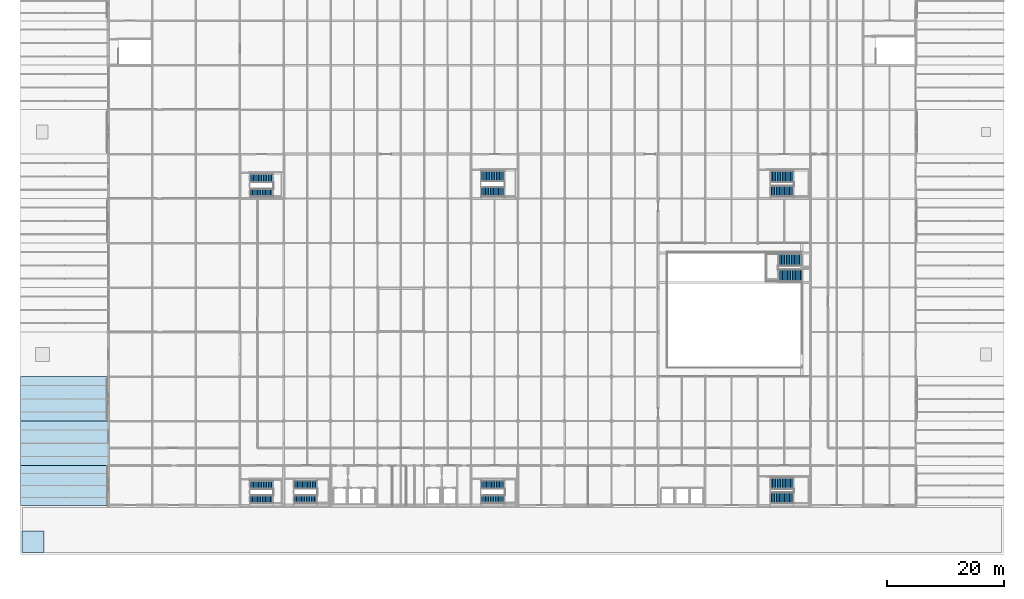
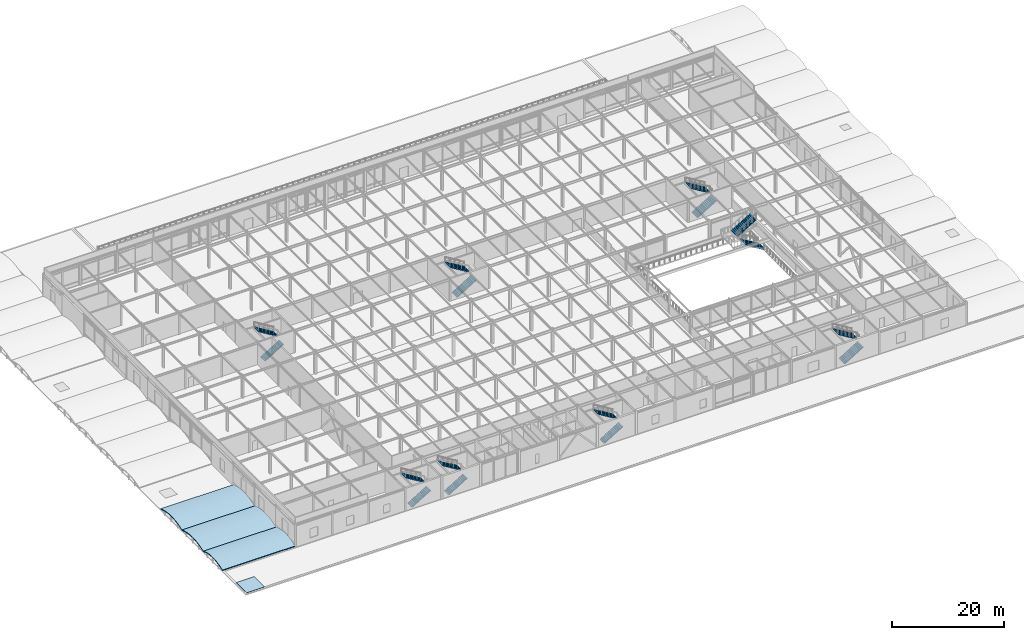
# One storey, part 104 of 113: 16 stair flights, 4 roofs, 8 elements without a shape of their own.
"""IFC4 building model written with IfcOpenShell, lengths in metres."""

from ifc_helpers import new_model, si_unit, direction, frame, origin, place, context, subcontext, project, spatial, polyline, outline, extrude, material, layer, layer_set, type_object, element, aggregate, save


model = new_model("IFC4")

# Units and contexts
model_context = context("Model", 3, precision=1e-05, world=origin(), true_north=direction((0.0, 1.0)))
body_context = subcontext(model_context, "Body", "Model", "MODEL_VIEW")
ifc_project = project(units=[si_unit("LENGTHUNIT", "METRE"), si_unit("AREAUNIT", "SQUARE_METRE"), si_unit("VOLUMEUNIT", "CUBIC_METRE"), si_unit("PLANEANGLEUNIT", "RADIAN"), si_unit("MASSUNIT", "GRAM", prefix="KILO")], contexts=[model_context])

# Site, building, storey
site_placement = place(None, origin())
site = spatial("IfcSite", under=ifc_project, at=site_placement, CompositionType="ELEMENT")
building_placement = place(site_placement, origin())
building = spatial("IfcBuilding", under=site, at=building_placement, Name="Shalkamar Park Central Library", CompositionType="ELEMENT")
storey_placement = place(building_placement, frame((0.0, 0.0, 5.39990234375)))
storey = spatial("IfcBuildingStorey", under=building, at=storey_placement, Name="L02", CompositionType="ELEMENT", Elevation=5.39990234375)

# Stair, stair flights
ifc_material = material(Name="Concrete C35/45", Category="concrete")
stair_type_1 = type_object("IfcStairType", Name="Protected Dog Leg Stair 150x510", PredefinedType="TWO_STRAIGHT_RUN_STAIR", material=ifc_material)
stair_1_placement = place(storey_placement, origin())
stair_1 = element("IfcStair", 1, at=stair_1_placement, inside=storey, type_object=stair_type_1, Name="Protected Core Stair ST-T1-L02", PredefinedType="TWO_STRAIGHT_RUN_STAIR")
stair_flight_type_1 = type_object("IfcStairFlightType", Name="Straight Stair Flight 150x510", PredefinedType="STRAIGHT", material=ifc_material)
stair_flight_1_placement = place(storey_placement, frame((166.6201171875, 249.389892578125, 0.0), z_axis=(0.0, 0.0, 1.0), x_axis=(1.0, 0.0, 0.0)))
stair_flight_1 = element("IfcStairFlight", 2, at=stair_flight_1_placement, type_object=stair_flight_type_1, Name="ST-T1-L02 flight 1", NumberOfRisers=15, NumberOfTreads=14, PredefinedType="STRAIGHT", RiserHeight=0.17, TreadLength=0.28, context=body_context, shape_type="SweptSolid", body=[
    extrude(outline(polyline([(0.0, 0.0), (0.0, 0.169921875), (0.280029296875, 0.169921875), (0.280029296875, 0.340087890625), (0.56005859375, 0.340087890625), (0.56005859375, 0.510009765625), (0.840087890625, 0.510009765625), (0.840087890625, 0.679931640625), (1.1201171875, 0.679931640625), (1.1201171875, 0.85009765625), (1.39990234375, 0.85009765625), (1.39990234375, 1.02001953125), (1.679931640625, 1.02001953125), (1.679931640625, 1.18994140625), (1.9599609375, 1.18994140625), (1.9599609375, 1.360107421875), (2.239990234375, 1.360107421875), (2.239990234375, 1.530029296875), (2.52001953125, 1.530029296875), (2.52001953125, 1.699951171875), (2.800048828125, 1.699951171875), (2.800048828125, 1.8701171875), (3.080078125, 1.8701171875), (3.080078125, 2.0400390625), (3.360107421875, 2.0400390625), (3.360107421875, 2.2099609375), (3.639892578125, 2.2099609375), (3.639892578125, 2.3798828125), (3.919921875, 2.3798828125), (3.919921875, 2.550048828125), (3.919921875, 2.20458984375), (0.288818359375, 0.0), (0.0, 0.0)])), frame((0.0, 0.75, 0.0), z_axis=(0.0, -1.0, 0.0), x_axis=(1.0, 0.0, 0.0)), (0.0, 0.0, 1.0), 1.5),
])
stair_flight_2_placement = place(storey_placement, frame((170.719970703125, 251.909912109375, 2.550048828125), z_axis=(0.0, 0.0, 1.0), x_axis=(-1.0, 0.0, 0.0)))
stair_flight_2 = element("IfcStairFlight", 3, at=stair_flight_2_placement, type_object=stair_flight_type_1, Name="ST-T1-L02 flight 2", NumberOfRisers=15, NumberOfTreads=14, PredefinedType="STRAIGHT", RiserHeight=0.17, TreadLength=0.28, context=body_context, shape_type="SweptSolid", body=[
    extrude(outline(polyline([(0.0, 0.0), (0.0, 0.169921875), (0.280029296875, 0.169921875), (0.280029296875, 0.340087890625), (0.56005859375, 0.340087890625), (0.56005859375, 0.510009765625), (0.840087890625, 0.510009765625), (0.840087890625, 0.679931640625), (1.1201171875, 0.679931640625), (1.1201171875, 0.85009765625), (1.39990234375, 0.85009765625), (1.39990234375, 1.02001953125), (1.679931640625, 1.02001953125), (1.679931640625, 1.18994140625), (1.9599609375, 1.18994140625), (1.9599609375, 1.360107421875), (2.239990234375, 1.360107421875), (2.239990234375, 1.530029296875), (2.52001953125, 1.530029296875), (2.52001953125, 1.699951171875), (2.800048828125, 1.699951171875), (2.800048828125, 1.8701171875), (3.080078125, 1.8701171875), (3.080078125, 2.0400390625), (3.360107421875, 2.0400390625), (3.360107421875, 2.2099609375), (3.639892578125, 2.2099609375), (3.639892578125, 2.3798828125), (3.919921875, 2.3798828125), (3.919921875, 2.550048828125), (3.919921875, 2.20458984375), (0.288818359375, 0.0), (0.0, 0.0)])), frame((0.0, 0.75, 0.0), z_axis=(0.0, -1.0, 0.0), x_axis=(1.0, 0.0, 0.0)), (0.0, 0.0, 1.0), 1.5),
])
aggregate(stair_1, [stair_flight_1, stair_flight_2])

stair_2_placement = place(storey_placement, origin())
stair_2 = element("IfcStair", 4, at=stair_2_placement, inside=storey, type_object=stair_type_1, Name="Protected Core Stair ST-T2-L02", PredefinedType="TWO_STRAIGHT_RUN_STAIR")
stair_flight_3_placement = place(storey_placement, frame((198.6201171875, 249.389892578125, 0.0), z_axis=(0.0, 0.0, 1.0), x_axis=(1.0, 0.0, 0.0)))
stair_flight_3 = element("IfcStairFlight", 5, at=stair_flight_3_placement, type_object=stair_flight_type_1, Name="ST-T2-L02 flight 1", NumberOfRisers=15, NumberOfTreads=14, PredefinedType="STRAIGHT", RiserHeight=0.17, TreadLength=0.28, context=body_context, shape_type="SweptSolid", body=[
    extrude(outline(polyline([(0.0, 0.0), (0.0, 0.169921875), (0.280029296875, 0.169921875), (0.280029296875, 0.340087890625), (0.56005859375, 0.340087890625), (0.56005859375, 0.510009765625), (0.840087890625, 0.510009765625), (0.840087890625, 0.679931640625), (1.1201171875, 0.679931640625), (1.1201171875, 0.85009765625), (1.39990234375, 0.85009765625), (1.39990234375, 1.02001953125), (1.679931640625, 1.02001953125), (1.679931640625, 1.18994140625), (1.9599609375, 1.18994140625), (1.9599609375, 1.360107421875), (2.239990234375, 1.360107421875), (2.239990234375, 1.530029296875), (2.52001953125, 1.530029296875), (2.52001953125, 1.699951171875), (2.800048828125, 1.699951171875), (2.800048828125, 1.8701171875), (3.080078125, 1.8701171875), (3.080078125, 2.0400390625), (3.360107421875, 2.0400390625), (3.360107421875, 2.2099609375), (3.639892578125, 2.2099609375), (3.639892578125, 2.3798828125), (3.919921875, 2.3798828125), (3.919921875, 2.550048828125), (3.919921875, 2.20458984375), (0.288818359375, 0.0), (0.0, 0.0)])), frame((0.0, 0.75, 0.0), z_axis=(0.0, -1.0, 0.0), x_axis=(1.0, 0.0, 0.0)), (0.0, 0.0, 1.0), 1.5),
])
stair_flight_4_placement = place(storey_placement, frame((202.719970703125, 251.909912109375, 2.550048828125), z_axis=(0.0, 0.0, 1.0), x_axis=(-1.0, 0.0, 0.0)))
stair_flight_4 = element("IfcStairFlight", 6, at=stair_flight_4_placement, type_object=stair_flight_type_1, Name="ST-T2-L02 flight 2", NumberOfRisers=15, NumberOfTreads=14, PredefinedType="STRAIGHT", RiserHeight=0.17, TreadLength=0.28, context=body_context, shape_type="SweptSolid", body=[
    extrude(outline(polyline([(0.0, 0.0), (0.0, 0.169921875), (0.280029296875, 0.169921875), (0.280029296875, 0.340087890625), (0.56005859375, 0.340087890625), (0.56005859375, 0.510009765625), (0.840087890625, 0.510009765625), (0.840087890625, 0.679931640625), (1.1201171875, 0.679931640625), (1.1201171875, 0.85009765625), (1.39990234375, 0.85009765625), (1.39990234375, 1.02001953125), (1.679931640625, 1.02001953125), (1.679931640625, 1.18994140625), (1.9599609375, 1.18994140625), (1.9599609375, 1.360107421875), (2.239990234375, 1.360107421875), (2.239990234375, 1.530029296875), (2.52001953125, 1.530029296875), (2.52001953125, 1.699951171875), (2.800048828125, 1.699951171875), (2.800048828125, 1.8701171875), (3.080078125, 1.8701171875), (3.080078125, 2.0400390625), (3.360107421875, 2.0400390625), (3.360107421875, 2.2099609375), (3.639892578125, 2.2099609375), (3.639892578125, 2.3798828125), (3.919921875, 2.3798828125), (3.919921875, 2.550048828125), (3.919921875, 2.20458984375), (0.288818359375, 0.0), (0.0, 0.0)])), frame((0.0, 0.75, 0.0), z_axis=(0.0, -1.0, 0.0), x_axis=(1.0, 0.0, 0.0)), (0.0, 0.0, 1.0), 1.5),
])
aggregate(stair_2, [stair_flight_3, stair_flight_4])

stair_3_placement = place(storey_placement, origin())
stair_3 = element("IfcStair", 7, at=stair_3_placement, inside=storey, type_object=stair_type_1, Name="Protected Core Stair ST-P1-L02", PredefinedType="TWO_STRAIGHT_RUN_STAIR")
stair_flight_5_placement = place(storey_placement, frame((159.094970703125, 249.364990234375, 0.0), z_axis=(0.0, 0.0, 1.0), x_axis=(1.0, 0.0, 0.0)))
stair_flight_5 = element("IfcStairFlight", 8, at=stair_flight_5_placement, type_object=stair_flight_type_1, Name="ST-P1-L02 flight 1", NumberOfRisers=15, NumberOfTreads=14, PredefinedType="STRAIGHT", RiserHeight=0.17, TreadLength=0.28, context=body_context, shape_type="SweptSolid", body=[
    extrude(outline(polyline([(0.0, 0.0), (0.0, 0.169921875), (0.280029296875, 0.169921875), (0.280029296875, 0.340087890625), (0.56005859375, 0.340087890625), (0.56005859375, 0.510009765625), (0.840087890625, 0.510009765625), (0.840087890625, 0.679931640625), (1.1201171875, 0.679931640625), (1.1201171875, 0.85009765625), (1.39990234375, 0.85009765625), (1.39990234375, 1.02001953125), (1.679931640625, 1.02001953125), (1.679931640625, 1.18994140625), (1.9599609375, 1.18994140625), (1.9599609375, 1.360107421875), (2.239990234375, 1.360107421875), (2.239990234375, 1.530029296875), (2.52001953125, 1.530029296875), (2.52001953125, 1.699951171875), (2.800048828125, 1.699951171875), (2.800048828125, 1.8701171875), (3.080078125, 1.8701171875), (3.080078125, 2.0400390625), (3.360107421875, 2.0400390625), (3.360107421875, 2.2099609375), (3.639892578125, 2.2099609375), (3.639892578125, 2.3798828125), (3.919921875, 2.3798828125), (3.919921875, 2.550048828125), (3.919921875, 2.20458984375), (0.288818359375, 0.0), (0.0, 0.0)])), frame((0.0, 0.75, 0.0), z_axis=(0.0, -1.0, 0.0), x_axis=(1.0, 0.0, 0.0)), (0.0, 0.0, 1.0), 1.5),
])
stair_flight_6_placement = place(storey_placement, frame((163.195068359375, 251.885009765625, 2.550048828125), z_axis=(0.0, 0.0, 1.0), x_axis=(-1.0, 0.0, 0.0)))
stair_flight_6 = element("IfcStairFlight", 9, at=stair_flight_6_placement, type_object=stair_flight_type_1, Name="ST-P1-L02 flight 2", NumberOfRisers=15, NumberOfTreads=14, PredefinedType="STRAIGHT", RiserHeight=0.17, TreadLength=0.28, context=body_context, shape_type="SweptSolid", body=[
    extrude(outline(polyline([(0.0, 0.0), (0.0, 0.169921875), (0.280029296875, 0.169921875), (0.280029296875, 0.340087890625), (0.56005859375, 0.340087890625), (0.56005859375, 0.510009765625), (0.840087890625, 0.510009765625), (0.840087890625, 0.679931640625), (1.1201171875, 0.679931640625), (1.1201171875, 0.85009765625), (1.39990234375, 0.85009765625), (1.39990234375, 1.02001953125), (1.679931640625, 1.02001953125), (1.679931640625, 1.18994140625), (1.9599609375, 1.18994140625), (1.9599609375, 1.360107421875), (2.239990234375, 1.360107421875), (2.239990234375, 1.530029296875), (2.52001953125, 1.530029296875), (2.52001953125, 1.699951171875), (2.800048828125, 1.699951171875), (2.800048828125, 1.8701171875), (3.080078125, 1.8701171875), (3.080078125, 2.0400390625), (3.360107421875, 2.0400390625), (3.360107421875, 2.2099609375), (3.639892578125, 2.2099609375), (3.639892578125, 2.3798828125), (3.919921875, 2.3798828125), (3.919921875, 2.550048828125), (3.919921875, 2.20458984375), (0.288818359375, 0.0), (0.0, 0.0)])), frame((0.0, 0.75, 0.0), z_axis=(0.0, -1.0, 0.0), x_axis=(1.0, 0.0, 0.0)), (0.0, 0.0, 1.0), 1.5),
])
aggregate(stair_3, [stair_flight_5, stair_flight_6])

stair_4_placement = place(storey_placement, origin())
stair_4 = element("IfcStair", 10, at=stair_4_placement, inside=storey, type_object=stair_type_1, Name="Protected Core Stair ST-P2-L02", PredefinedType="TWO_STRAIGHT_RUN_STAIR")
stair_flight_7_placement = place(storey_placement, frame((159.094970703125, 301.764892578125, 0.0), z_axis=(0.0, 0.0, 1.0), x_axis=(1.0, 0.0, 0.0)))
stair_flight_7 = element("IfcStairFlight", 11, at=stair_flight_7_placement, type_object=stair_flight_type_1, Name="ST-P2-L02 flight 1", NumberOfRisers=15, NumberOfTreads=14, PredefinedType="STRAIGHT", RiserHeight=0.17, TreadLength=0.28, context=body_context, shape_type="SweptSolid", body=[
    extrude(outline(polyline([(0.0, 0.0), (0.0, 0.169921875), (0.280029296875, 0.169921875), (0.280029296875, 0.340087890625), (0.56005859375, 0.340087890625), (0.56005859375, 0.510009765625), (0.840087890625, 0.510009765625), (0.840087890625, 0.679931640625), (1.1201171875, 0.679931640625), (1.1201171875, 0.85009765625), (1.39990234375, 0.85009765625), (1.39990234375, 1.02001953125), (1.679931640625, 1.02001953125), (1.679931640625, 1.18994140625), (1.9599609375, 1.18994140625), (1.9599609375, 1.360107421875), (2.239990234375, 1.360107421875), (2.239990234375, 1.530029296875), (2.52001953125, 1.530029296875), (2.52001953125, 1.699951171875), (2.800048828125, 1.699951171875), (2.800048828125, 1.8701171875), (3.080078125, 1.8701171875), (3.080078125, 2.0400390625), (3.360107421875, 2.0400390625), (3.360107421875, 2.2099609375), (3.639892578125, 2.2099609375), (3.639892578125, 2.3798828125), (3.919921875, 2.3798828125), (3.919921875, 2.550048828125), (3.919921875, 2.20458984375), (0.288818359375, 0.0), (0.0, 0.0)])), frame((0.0, 0.75, 0.0), z_axis=(0.0, -1.0, 0.0), x_axis=(1.0, 0.0, 0.0)), (0.0, 0.0, 1.0), 1.5),
])
stair_flight_8_placement = place(storey_placement, frame((163.195068359375, 304.284912109375, 2.550048828125), z_axis=(0.0, 0.0, 1.0), x_axis=(-1.0, 0.0, 0.0)))
stair_flight_8 = element("IfcStairFlight", 12, at=stair_flight_8_placement, type_object=stair_flight_type_1, Name="ST-P2-L02 flight 2", NumberOfRisers=15, NumberOfTreads=14, PredefinedType="STRAIGHT", RiserHeight=0.17, TreadLength=0.28, context=body_context, shape_type="SweptSolid", body=[
    extrude(outline(polyline([(0.0, 0.0), (0.0, 0.169921875), (0.280029296875, 0.169921875), (0.280029296875, 0.340087890625), (0.56005859375, 0.340087890625), (0.56005859375, 0.510009765625), (0.840087890625, 0.510009765625), (0.840087890625, 0.679931640625), (1.1201171875, 0.679931640625), (1.1201171875, 0.85009765625), (1.39990234375, 0.85009765625), (1.39990234375, 1.02001953125), (1.679931640625, 1.02001953125), (1.679931640625, 1.18994140625), (1.9599609375, 1.18994140625), (1.9599609375, 1.360107421875), (2.239990234375, 1.360107421875), (2.239990234375, 1.530029296875), (2.52001953125, 1.530029296875), (2.52001953125, 1.699951171875), (2.800048828125, 1.699951171875), (2.800048828125, 1.8701171875), (3.080078125, 1.8701171875), (3.080078125, 2.0400390625), (3.360107421875, 2.0400390625), (3.360107421875, 2.2099609375), (3.639892578125, 2.2099609375), (3.639892578125, 2.3798828125), (3.919921875, 2.3798828125), (3.919921875, 2.550048828125), (3.919921875, 2.20458984375), (0.288818359375, 0.0), (0.0, 0.0)])), frame((0.0, 0.75, 0.0), z_axis=(0.0, -1.0, 0.0), x_axis=(1.0, 0.0, 0.0)), (0.0, 0.0, 1.0), 1.5),
])
aggregate(stair_4, [stair_flight_7, stair_flight_8])

stair_type_2 = type_object("IfcStairType", Name="Protected Dog Leg Stair 180x510", PredefinedType="TWO_STRAIGHT_RUN_STAIR", material=ifc_material)
stair_5_placement = place(storey_placement, origin())
stair_5 = element("IfcStair", 13, at=stair_5_placement, inside=storey, type_object=stair_type_2, Name="Protected Core Stair ST-P7-L02", PredefinedType="TWO_STRAIGHT_RUN_STAIR")
stair_flight_type_2 = type_object("IfcStairFlightType", Name="Straight Stair Flight 180x510", PredefinedType="STRAIGHT", material=ifc_material)
stair_flight_9_placement = place(storey_placement, frame((198.614990234375, 301.9150390625, 0.0), z_axis=(0.0, 0.0, 1.0), x_axis=(1.0, 0.0, 0.0)))
stair_flight_9 = element("IfcStairFlight", 14, at=stair_flight_9_placement, type_object=stair_flight_type_2, Name="ST-P7-L02 flight 1", NumberOfRisers=15, NumberOfTreads=14, PredefinedType="STRAIGHT", RiserHeight=0.17, TreadLength=0.28, context=body_context, shape_type="SweptSolid", body=[
    extrude(outline(polyline([(0.0, 0.0), (0.0, 0.169921875), (0.280029296875, 0.169921875), (0.280029296875, 0.340087890625), (0.56005859375, 0.340087890625), (0.56005859375, 0.510009765625), (0.840087890625, 0.510009765625), (0.840087890625, 0.679931640625), (1.1201171875, 0.679931640625), (1.1201171875, 0.85009765625), (1.39990234375, 0.85009765625), (1.39990234375, 1.02001953125), (1.679931640625, 1.02001953125), (1.679931640625, 1.18994140625), (1.9599609375, 1.18994140625), (1.9599609375, 1.360107421875), (2.239990234375, 1.360107421875), (2.239990234375, 1.530029296875), (2.52001953125, 1.530029296875), (2.52001953125, 1.699951171875), (2.800048828125, 1.699951171875), (2.800048828125, 1.8701171875), (3.080078125, 1.8701171875), (3.080078125, 2.0400390625), (3.360107421875, 2.0400390625), (3.360107421875, 2.2099609375), (3.639892578125, 2.2099609375), (3.639892578125, 2.3798828125), (3.919921875, 2.3798828125), (3.919921875, 2.550048828125), (3.919921875, 2.20458984375), (0.288818359375, 0.0), (0.0, 0.0)])), frame((0.0, 0.89990234375, 0.0), z_axis=(0.0, -1.0, 0.0), x_axis=(1.0, 0.0, 0.0)), (0.0, 0.0, 1.0), 1.800048828125),
])
stair_flight_10_placement = place(storey_placement, frame((202.715087890625, 304.635009765625, 2.550048828125), z_axis=(0.0, 0.0, 1.0), x_axis=(-1.0, 0.0, 0.0)))
stair_flight_10 = element("IfcStairFlight", 15, at=stair_flight_10_placement, type_object=stair_flight_type_2, Name="ST-P7-L02 flight 2", NumberOfRisers=15, NumberOfTreads=14, PredefinedType="STRAIGHT", RiserHeight=0.17, TreadLength=0.28, context=body_context, shape_type="SweptSolid", body=[
    extrude(outline(polyline([(0.0, 0.0), (0.0, 0.169921875), (0.280029296875, 0.169921875), (0.280029296875, 0.340087890625), (0.56005859375, 0.340087890625), (0.56005859375, 0.510009765625), (0.840087890625, 0.510009765625), (0.840087890625, 0.679931640625), (1.1201171875, 0.679931640625), (1.1201171875, 0.85009765625), (1.39990234375, 0.85009765625), (1.39990234375, 1.02001953125), (1.679931640625, 1.02001953125), (1.679931640625, 1.18994140625), (1.9599609375, 1.18994140625), (1.9599609375, 1.360107421875), (2.239990234375, 1.360107421875), (2.239990234375, 1.530029296875), (2.52001953125, 1.530029296875), (2.52001953125, 1.699951171875), (2.800048828125, 1.699951171875), (2.800048828125, 1.8701171875), (3.080078125, 1.8701171875), (3.080078125, 2.0400390625), (3.360107421875, 2.0400390625), (3.360107421875, 2.2099609375), (3.639892578125, 2.2099609375), (3.639892578125, 2.3798828125), (3.919921875, 2.3798828125), (3.919921875, 2.550048828125), (3.919921875, 2.20458984375), (0.288818359375, 0.0), (0.0, 0.0)])), frame((0.0, 0.89990234375, 0.0), z_axis=(0.0, -1.0, 0.0), x_axis=(1.0, 0.0, 0.0)), (0.0, 0.0, 1.0), 1.800048828125),
])
aggregate(stair_5, [stair_flight_9, stair_flight_10])

stair_type_3 = type_object("IfcStairType", Name="Protected Dog Leg Stair 200x510", PredefinedType="TWO_STRAIGHT_RUN_STAIR", material=ifc_material)
stair_6_placement = place(storey_placement, origin())
stair_6 = element("IfcStair", 16, at=stair_6_placement, inside=storey, type_object=stair_type_3, Name="Protected Core Stair ST-P3-L02", PredefinedType="TWO_STRAIGHT_RUN_STAIR")
stair_flight_type_3 = type_object("IfcStairFlightType", Name="Straight Stair Flight 200x510", PredefinedType="STRAIGHT", material=ifc_material)
stair_flight_11_placement = place(storey_placement, frame((248.044921875, 249.614990234375, 0.0), z_axis=(0.0, 0.0, 1.0), x_axis=(1.0, 0.0, 0.0)))
stair_flight_11 = element("IfcStairFlight", 17, at=stair_flight_11_placement, type_object=stair_flight_type_3, Name="ST-P3-L02 flight 1", NumberOfRisers=15, NumberOfTreads=14, PredefinedType="STRAIGHT", RiserHeight=0.17, TreadLength=0.28, context=body_context, shape_type="SweptSolid", body=[
    extrude(outline(polyline([(0.0, 0.0), (0.0, 0.169921875), (0.280029296875, 0.169921875), (0.280029296875, 0.340087890625), (0.56005859375, 0.340087890625), (0.56005859375, 0.510009765625), (0.840087890625, 0.510009765625), (0.840087890625, 0.679931640625), (1.1201171875, 0.679931640625), (1.1201171875, 0.85009765625), (1.39990234375, 0.85009765625), (1.39990234375, 1.02001953125), (1.679931640625, 1.02001953125), (1.679931640625, 1.18994140625), (1.9599609375, 1.18994140625), (1.9599609375, 1.360107421875), (2.239990234375, 1.360107421875), (2.239990234375, 1.530029296875), (2.52001953125, 1.530029296875), (2.52001953125, 1.699951171875), (2.800048828125, 1.699951171875), (2.800048828125, 1.8701171875), (3.080078125, 1.8701171875), (3.080078125, 2.0400390625), (3.360107421875, 2.0400390625), (3.360107421875, 2.2099609375), (3.639892578125, 2.2099609375), (3.639892578125, 2.3798828125), (3.919921875, 2.3798828125), (3.919921875, 2.550048828125), (3.919921875, 2.20458984375), (0.288818359375, 0.0), (0.0, 0.0)])), frame((0.0, 1.0, 0.0), z_axis=(0.0, -1.0, 0.0), x_axis=(1.0, 0.0, 0.0)), (0.0, 0.0, 1.0), 2.0),
])
stair_flight_12_placement = place(storey_placement, frame((252.14501953125, 252.135009765625, 2.550048828125), z_axis=(0.0, 0.0, 1.0), x_axis=(-1.0, 0.0, 0.0)))
stair_flight_12 = element("IfcStairFlight", 18, at=stair_flight_12_placement, type_object=stair_flight_type_3, Name="ST-P3-L02 flight 2", NumberOfRisers=15, NumberOfTreads=14, PredefinedType="STRAIGHT", RiserHeight=0.17, TreadLength=0.28, context=body_context, shape_type="SweptSolid", body=[
    extrude(outline(polyline([(0.0, 0.0), (0.0, 0.169921875), (0.280029296875, 0.169921875), (0.280029296875, 0.340087890625), (0.56005859375, 0.340087890625), (0.56005859375, 0.510009765625), (0.840087890625, 0.510009765625), (0.840087890625, 0.679931640625), (1.1201171875, 0.679931640625), (1.1201171875, 0.85009765625), (1.39990234375, 0.85009765625), (1.39990234375, 1.02001953125), (1.679931640625, 1.02001953125), (1.679931640625, 1.18994140625), (1.9599609375, 1.18994140625), (1.9599609375, 1.360107421875), (2.239990234375, 1.360107421875), (2.239990234375, 1.530029296875), (2.52001953125, 1.530029296875), (2.52001953125, 1.699951171875), (2.800048828125, 1.699951171875), (2.800048828125, 1.8701171875), (3.080078125, 1.8701171875), (3.080078125, 2.0400390625), (3.360107421875, 2.0400390625), (3.360107421875, 2.2099609375), (3.639892578125, 2.2099609375), (3.639892578125, 2.3798828125), (3.919921875, 2.3798828125), (3.919921875, 2.550048828125), (3.919921875, 2.20458984375), (0.288818359375, 0.0), (0.0, 0.0)])), frame((0.0, 1.0, 0.0), z_axis=(0.0, -1.0, 0.0), x_axis=(1.0, 0.0, 0.0)), (0.0, 0.0, 1.0), 2.0),
])
aggregate(stair_6, [stair_flight_11, stair_flight_12])

stair_7_placement = place(storey_placement, origin())
stair_7 = element("IfcStair", 19, at=stair_7_placement, inside=storey, type_object=stair_type_3, Name="Protected Core Stair ST-P4-L02", PredefinedType="TWO_STRAIGHT_RUN_STAIR")
stair_flight_13_placement = place(storey_placement, frame((248.044921875, 302.014892578125, 0.0), z_axis=(0.0, 0.0, 1.0), x_axis=(1.0, 0.0, 0.0)))
stair_flight_13 = element("IfcStairFlight", 20, at=stair_flight_13_placement, type_object=stair_flight_type_3, Name="ST-P4-L02 flight 1", NumberOfRisers=15, NumberOfTreads=14, PredefinedType="STRAIGHT", RiserHeight=0.17, TreadLength=0.28, context=body_context, shape_type="SweptSolid", body=[
    extrude(outline(polyline([(0.0, 0.0), (0.0, 0.169921875), (0.280029296875, 0.169921875), (0.280029296875, 0.340087890625), (0.56005859375, 0.340087890625), (0.56005859375, 0.510009765625), (0.840087890625, 0.510009765625), (0.840087890625, 0.679931640625), (1.1201171875, 0.679931640625), (1.1201171875, 0.85009765625), (1.39990234375, 0.85009765625), (1.39990234375, 1.02001953125), (1.679931640625, 1.02001953125), (1.679931640625, 1.18994140625), (1.9599609375, 1.18994140625), (1.9599609375, 1.360107421875), (2.239990234375, 1.360107421875), (2.239990234375, 1.530029296875), (2.52001953125, 1.530029296875), (2.52001953125, 1.699951171875), (2.800048828125, 1.699951171875), (2.800048828125, 1.8701171875), (3.080078125, 1.8701171875), (3.080078125, 2.0400390625), (3.360107421875, 2.0400390625), (3.360107421875, 2.2099609375), (3.639892578125, 2.2099609375), (3.639892578125, 2.3798828125), (3.919921875, 2.3798828125), (3.919921875, 2.550048828125), (3.919921875, 2.20458984375), (0.288818359375, 0.0), (0.0, 0.0)])), frame((0.0, 1.0, 0.0), z_axis=(0.0, -1.0, 0.0), x_axis=(1.0, 0.0, 0.0)), (0.0, 0.0, 1.0), 2.0),
])
stair_flight_14_placement = place(storey_placement, frame((252.14501953125, 304.534912109375, 2.550048828125), z_axis=(0.0, 0.0, 1.0), x_axis=(-1.0, 0.0, 0.0)))
stair_flight_14 = element("IfcStairFlight", 21, at=stair_flight_14_placement, type_object=stair_flight_type_3, Name="ST-P4-L02 flight 2", NumberOfRisers=15, NumberOfTreads=14, PredefinedType="STRAIGHT", RiserHeight=0.17, TreadLength=0.28, context=body_context, shape_type="SweptSolid", body=[
    extrude(outline(polyline([(0.0, 0.0), (0.0, 0.169921875), (0.280029296875, 0.169921875), (0.280029296875, 0.340087890625), (0.56005859375, 0.340087890625), (0.56005859375, 0.510009765625), (0.840087890625, 0.510009765625), (0.840087890625, 0.679931640625), (1.1201171875, 0.679931640625), (1.1201171875, 0.85009765625), (1.39990234375, 0.85009765625), (1.39990234375, 1.02001953125), (1.679931640625, 1.02001953125), (1.679931640625, 1.18994140625), (1.9599609375, 1.18994140625), (1.9599609375, 1.360107421875), (2.239990234375, 1.360107421875), (2.239990234375, 1.530029296875), (2.52001953125, 1.530029296875), (2.52001953125, 1.699951171875), (2.800048828125, 1.699951171875), (2.800048828125, 1.8701171875), (3.080078125, 1.8701171875), (3.080078125, 2.0400390625), (3.360107421875, 2.0400390625), (3.360107421875, 2.2099609375), (3.639892578125, 2.2099609375), (3.639892578125, 2.3798828125), (3.919921875, 2.3798828125), (3.919921875, 2.550048828125), (3.919921875, 2.20458984375), (0.288818359375, 0.0), (0.0, 0.0)])), frame((0.0, 1.0, 0.0), z_axis=(0.0, -1.0, 0.0), x_axis=(1.0, 0.0, 0.0)), (0.0, 0.0, 1.0), 2.0),
])
aggregate(stair_7, [stair_flight_13, stair_flight_14])

stair_type_4 = type_object("IfcStairType", Name="Protected Dog Leg Stair 210x510", PredefinedType="TWO_STRAIGHT_RUN_STAIR", material=ifc_material)
stair_8_placement = place(storey_placement, origin())
stair_8 = element("IfcStair", 22, at=stair_8_placement, inside=storey, type_object=stair_type_4, Name="Monumental Atrium Reading Stair ST-A2 (L02-L03)", PredefinedType="TWO_STRAIGHT_RUN_STAIR")
stair_flight_type_4 = type_object("IfcStairFlightType", Name="Straight Stair Flight 210x510", PredefinedType="STRAIGHT", material=ifc_material)
stair_flight_15_placement = place(storey_placement, frame((253.580078125, 287.64990234375, 0.0), z_axis=(0.0, 0.0, 1.0), x_axis=(-1.0, 0.0, 0.0)))
stair_flight_15 = element("IfcStairFlight", 23, at=stair_flight_15_placement, type_object=stair_flight_type_4, Name="ST-A2-L02 flight 1", NumberOfRisers=15, NumberOfTreads=14, PredefinedType="STRAIGHT", RiserHeight=0.17, TreadLength=0.28, context=body_context, shape_type="SweptSolid", body=[
    extrude(outline(polyline([(0.0, 0.0), (0.0, 0.169921875), (0.280029296875, 0.169921875), (0.280029296875, 0.340087890625), (0.56005859375, 0.340087890625), (0.56005859375, 0.510009765625), (0.840087890625, 0.510009765625), (0.840087890625, 0.679931640625), (1.1201171875, 0.679931640625), (1.1201171875, 0.85009765625), (1.39990234375, 0.85009765625), (1.39990234375, 1.02001953125), (1.679931640625, 1.02001953125), (1.679931640625, 1.18994140625), (1.9599609375, 1.18994140625), (1.9599609375, 1.360107421875), (2.239990234375, 1.360107421875), (2.239990234375, 1.530029296875), (2.52001953125, 1.530029296875), (2.52001953125, 1.699951171875), (2.800048828125, 1.699951171875), (2.800048828125, 1.8701171875), (3.080078125, 1.8701171875), (3.080078125, 2.0400390625), (3.360107421875, 2.0400390625), (3.360107421875, 2.2099609375), (3.639892578125, 2.2099609375), (3.639892578125, 2.3798828125), (3.919921875, 2.3798828125), (3.919921875, 2.550048828125), (3.919921875, 2.19287109375), (0.30810546875, 0.0), (0.0, 0.0)])), frame((0.0, 1.050048828125, 0.0), z_axis=(0.0, -1.0, 0.0), x_axis=(1.0, 0.0, 0.0)), (0.0, 0.0, 1.0), 2.10009765625),
])
stair_flight_16_placement = place(storey_placement, frame((249.47998046875, 290.35009765625, 2.550048828125), z_axis=(0.0, 0.0, 1.0), x_axis=(1.0, 0.0, 0.0)))
stair_flight_16 = element("IfcStairFlight", 24, at=stair_flight_16_placement, type_object=stair_flight_type_4, Name="ST-A2-L02 flight 2", NumberOfRisers=15, NumberOfTreads=14, PredefinedType="STRAIGHT", RiserHeight=0.17, TreadLength=0.28, context=body_context, shape_type="SweptSolid", body=[
    extrude(outline(polyline([(0.0, 0.0), (0.0, 0.169921875), (0.280029296875, 0.169921875), (0.280029296875, 0.340087890625), (0.56005859375, 0.340087890625), (0.56005859375, 0.510009765625), (0.840087890625, 0.510009765625), (0.840087890625, 0.679931640625), (1.1201171875, 0.679931640625), (1.1201171875, 0.85009765625), (1.39990234375, 0.85009765625), (1.39990234375, 1.02001953125), (1.679931640625, 1.02001953125), (1.679931640625, 1.18994140625), (1.9599609375, 1.18994140625), (1.9599609375, 1.360107421875), (2.239990234375, 1.360107421875), (2.239990234375, 1.530029296875), (2.52001953125, 1.530029296875), (2.52001953125, 1.699951171875), (2.800048828125, 1.699951171875), (2.800048828125, 1.8701171875), (3.080078125, 1.8701171875), (3.080078125, 2.0400390625), (3.360107421875, 2.0400390625), (3.360107421875, 2.2099609375), (3.639892578125, 2.2099609375), (3.639892578125, 2.3798828125), (3.919921875, 2.3798828125), (3.919921875, 2.550048828125), (3.919921875, 2.19287109375), (0.30810546875, 0.0), (0.0, 0.0)])), frame((0.0, 1.050048828125, 0.0), z_axis=(0.0, -1.0, 0.0), x_axis=(1.0, 0.0, 0.0)), (0.0, 0.0, 1.0), 2.10009765625),
])
aggregate(stair_8, [stair_flight_15, stair_flight_16])

# Roofs
ifc_layer_1 = layer(ifc_material, 0.239990234375)
ifc_layer_set_1 = layer_set([ifc_layer_1], Name="Concrete C35/45")
roof_type_1 = type_object("IfcRoofType", Name="Insulated Flat Roof Assembly", PredefinedType="FLAT_ROOF", material=ifc_layer_set_1)
roof_1_placement = place(storey_placement, origin())
element("IfcRoof", 25, at=roof_1_placement, inside=storey, type_object=roof_type_1, Name="Level L02 Insulated Flat Roof Assembly", PredefinedType="FLAT_ROOF", context=body_context, shape_type="SweptSolid", body=[
    extrude(outline(polyline([(120.300048828125, 240.300048828125), (124.0, 240.300048828125), (124.0, 244.0), (120.300048828125, 244.0), (120.300048828125, 240.300048828125)])), origin(), (0.0, 0.0, 1.0), 0.030029296875),
])
ifc_layer_2 = layer(ifc_material, 0.179931640625)
ifc_layer_set_2 = layer_set([ifc_layer_2], Name="Concrete C35/45")
roof_type_2 = type_object("IfcRoofType", Name="Polychrome Barrel Vault Roof", PredefinedType="BARREL_ROOF", material=ifc_layer_set_2)
roof_2_placement = place(storey_placement, frame((120.0, 251.7998046875, 0.0), z_axis=(0.0, 0.0, 1.0), x_axis=(1.0, 0.0, 0.0)))
element("IfcRoof", 26, at=roof_2_placement, inside=storey, type_object=roof_type_2, Name="Barrel Vault Clerestory Roof BV-L01-W1", PredefinedType="BARREL_ROOF", context=body_context, shape_type="SweptSolid", body=[
    extrude(outline(polyline([(-3.39990234375, 0.179931640625), (-2.97509765625, 0.3486328125), (-2.550048828125, 0.494873046875), (-2.125, 0.61865234375), (-1.699951171875, 0.719970703125), (-1.27490234375, 0.798583984375), (-0.85009765625, 0.85498046875), (-0.425048828125, 0.888671875), (0.0, 0.89990234375), (0.425048828125, 0.888671875), (0.85009765625, 0.85498046875), (1.27490234375, 0.798583984375), (1.699951171875, 0.719970703125), (2.125, 0.61865234375), (2.550048828125, 0.494873046875), (2.97509765625, 0.3486328125), (3.39990234375, 0.179931640625), (3.39990234375, 0.0), (2.97509765625, 0.168701171875), (2.550048828125, 0.31494140625), (2.125, 0.438720703125), (1.699951171875, 0.5400390625), (1.27490234375, 0.61865234375), (0.85009765625, 0.675048828125), (0.425048828125, 0.708740234375), (0.0, 0.719970703125), (-0.425048828125, 0.708740234375), (-0.85009765625, 0.675048828125), (-1.27490234375, 0.61865234375), (-1.699951171875, 0.5400390625), (-2.125, 0.438720703125), (-2.550048828125, 0.31494140625), (-2.97509765625, 0.168701171875), (-3.39990234375, 0.0), (-3.39990234375, 0.179931640625)])), frame((0.0, 0.0, 0.0), z_axis=(1.0, 0.0, 0.0), x_axis=(0.0, 1.0, 0.0)), (0.0, 0.0, 1.0), 15.0),
])
roof_3_placement = place(storey_placement, frame((120.0, 259.0, 0.0), z_axis=(0.0, 0.0, 1.0), x_axis=(1.0, 0.0, 0.0)))
element("IfcRoof", 27, at=roof_3_placement, inside=storey, type_object=roof_type_2, Name="Barrel Vault Clerestory Roof BV-L01-W2", PredefinedType="BARREL_ROOF", context=body_context, shape_type="SweptSolid", body=[
    extrude(outline(polyline([(-3.800048828125, 0.179931640625), (-3.324951171875, 0.3486328125), (-2.85009765625, 0.494873046875), (-2.375, 0.61865234375), (-1.89990234375, 0.719970703125), (-1.425048828125, 0.798583984375), (-0.949951171875, 0.85498046875), (-0.47509765625, 0.888671875), (0.0, 0.89990234375), (0.47509765625, 0.888671875), (0.949951171875, 0.85498046875), (1.425048828125, 0.798583984375), (1.89990234375, 0.719970703125), (2.375, 0.61865234375), (2.85009765625, 0.494873046875), (3.324951171875, 0.3486328125), (3.800048828125, 0.179931640625), (3.800048828125, 0.0), (3.324951171875, 0.168701171875), (2.85009765625, 0.31494140625), (2.375, 0.438720703125), (1.89990234375, 0.5400390625), (1.425048828125, 0.61865234375), (0.949951171875, 0.675048828125), (0.47509765625, 0.708740234375), (0.0, 0.719970703125), (-0.47509765625, 0.708740234375), (-0.949951171875, 0.675048828125), (-1.425048828125, 0.61865234375), (-1.89990234375, 0.5400390625), (-2.375, 0.438720703125), (-2.85009765625, 0.31494140625), (-3.324951171875, 0.168701171875), (-3.800048828125, 0.0), (-3.800048828125, 0.179931640625)])), frame((0.0, 0.0, 0.0), z_axis=(1.0, 0.0, 0.0), x_axis=(0.0, 1.0, 0.0)), (0.0, 0.0, 1.0), 15.0),
])
roof_4_placement = place(storey_placement, frame((120.0, 266.60009765625, 0.0), z_axis=(0.0, 0.0, 1.0), x_axis=(1.0, 0.0, 0.0)))
element("IfcRoof", 28, at=roof_4_placement, inside=storey, type_object=roof_type_2, Name="Barrel Vault Clerestory Roof BV-L01-W3", PredefinedType="BARREL_ROOF", context=body_context, shape_type="SweptSolid", body=[
    extrude(outline(polyline([(-3.7998046875, 0.179931640625), (-3.324951171875, 0.3486328125), (-2.849853515625, 0.494873046875), (-2.375, 0.61865234375), (-1.89990234375, 0.719970703125), (-1.425048828125, 0.798583984375), (-0.949951171875, 0.85498046875), (-0.47509765625, 0.888671875), (0.0, 0.89990234375), (0.47509765625, 0.888671875), (0.949951171875, 0.85498046875), (1.425048828125, 0.798583984375), (1.89990234375, 0.719970703125), (2.375, 0.61865234375), (2.849853515625, 0.494873046875), (3.324951171875, 0.3486328125), (3.7998046875, 0.179931640625), (3.7998046875, 0.0), (3.324951171875, 0.168701171875), (2.849853515625, 0.31494140625), (2.375, 0.438720703125), (1.89990234375, 0.5400390625), (1.425048828125, 0.61865234375), (0.949951171875, 0.675048828125), (0.47509765625, 0.708740234375), (0.0, 0.719970703125), (-0.47509765625, 0.708740234375), (-0.949951171875, 0.675048828125), (-1.425048828125, 0.61865234375), (-1.89990234375, 0.5400390625), (-2.375, 0.438720703125), (-2.849853515625, 0.31494140625), (-3.324951171875, 0.168701171875), (-3.7998046875, 0.0), (-3.7998046875, 0.179931640625)])), frame((0.0, 0.0, 0.0), z_axis=(1.0, 0.0, 0.0), x_axis=(0.0, 1.0, 0.0)), (0.0, 0.0, 1.0), 15.0),
])

save(model, "model.ifc")
